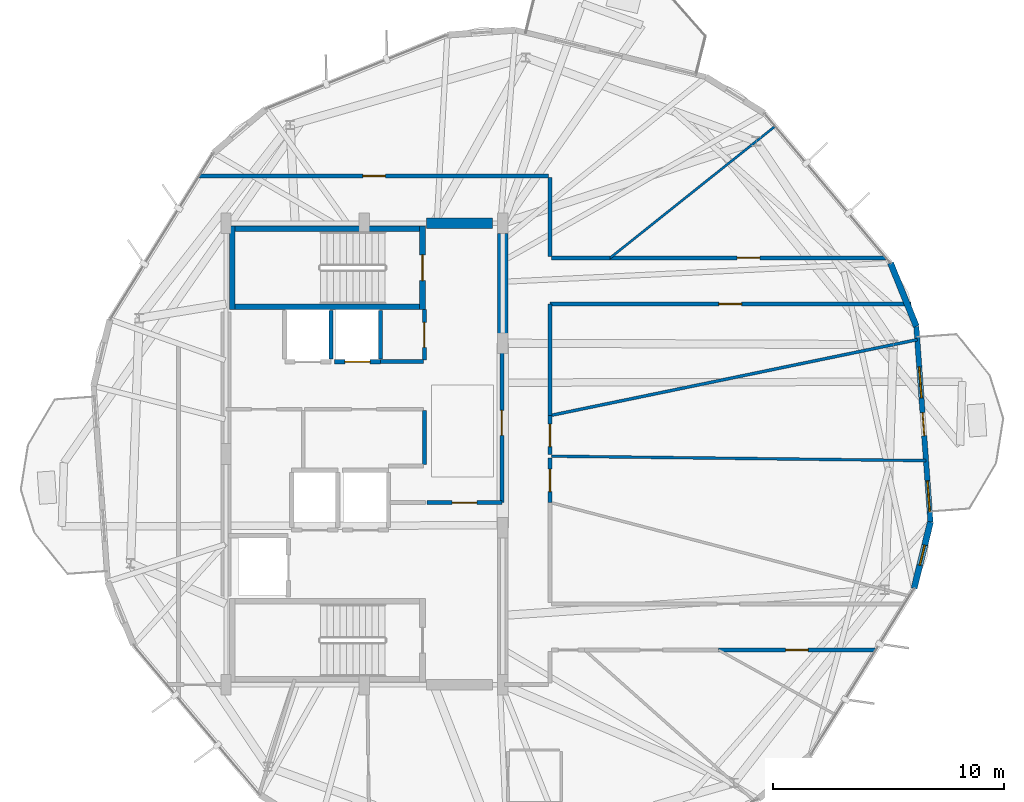
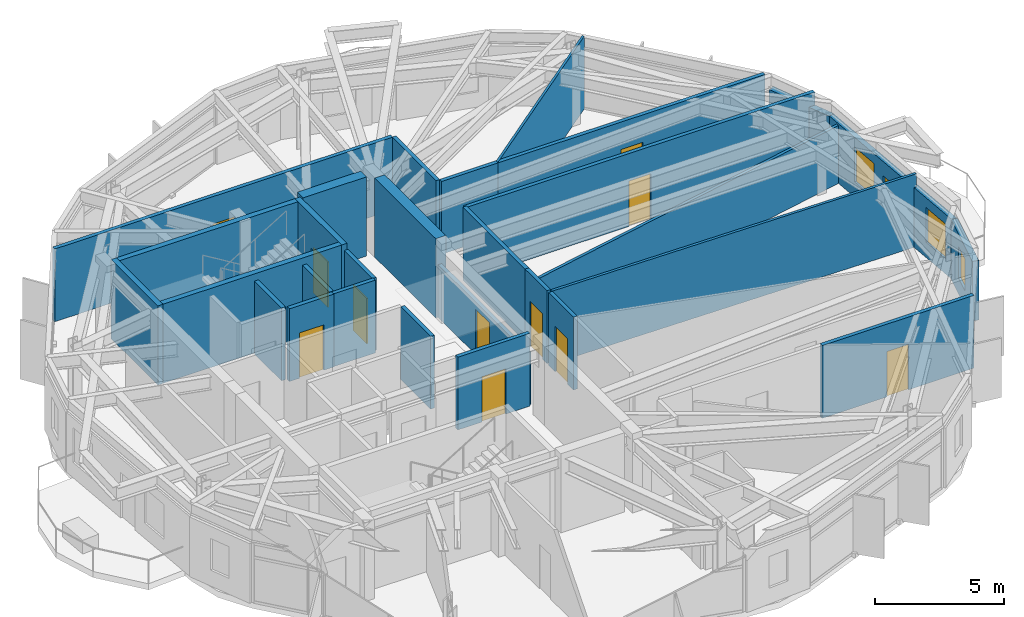
# One storey, part 22 of 26: 29 walls, 12 doors, 3 windows, 15 openings.
"""IFC4 building model written with IfcOpenShell, lengths in metres."""

from ifc_helpers import new_model, si_unit, direction, frame, frame_2d, origin, place, context, subcontext, project, spatial, rectangle, extrude, material, layer, layer_set, type_object, element, fill, save


model = new_model("IFC4")

# Units and contexts
model_context = context("Model", 3, precision=1e-05, world=origin(), true_north=direction((0.0, 1.0)))
body_context = subcontext(model_context, "Body", "Model", "MODEL_VIEW")
ifc_project = project(units=[si_unit("LENGTHUNIT", "METRE"), si_unit("AREAUNIT", "SQUARE_METRE"), si_unit("VOLUMEUNIT", "CUBIC_METRE"), si_unit("PLANEANGLEUNIT", "RADIAN"), si_unit("MASSUNIT", "GRAM", prefix="KILO")], contexts=[model_context])

# Site, building, storey
site_placement = place(None, origin())
site = spatial("IfcSite", under=ifc_project, at=site_placement, CompositionType="ELEMENT")
building_placement = place(site_placement, origin())
building = spatial("IfcBuilding", under=site, at=building_placement, Name="Soratama Intermodal Tower", CompositionType="ELEMENT")
storey_placement = place(building_placement, frame((0.0, 0.0, 246.25)))
storey = spatial("IfcBuildingStorey", under=building, at=storey_placement, Name="L62", CompositionType="ELEMENT", Elevation=246.25)

# Wall, openings, door, windows
ifc_material_1 = material(Name="Concrete f'c 42 MPa", Category="concrete")
ifc_layer_1 = layer(ifc_material_1, 0.22998046875)
ifc_layer_set_1 = layer_set([ifc_layer_1], Name="Concrete f'c 42 MPa")
wall_type_1 = type_object("IfcWallType", Name="EW-BAL-230", PredefinedType="SOLIDWALL", material=ifc_layer_set_1)
wall_1_placement = place(storey_placement, frame((63.139892578125, 22.052001953125, 0.0), z_axis=(0.0, 0.0, 1.0), x_axis=(-0.072181914465, 0.997391483433, 0.0)))
wall_1 = element("IfcWall", 1, at=wall_1_placement, inside=storey, type_object=wall_type_1, Name="L62 Terrace Wall F09", PredefinedType="SOLIDWALL", context=body_context, shape_type="SweptSolid", body=[
    extrude(rectangle(XDim=8.499755859375, YDim=0.22998046875, at=frame_2d((4.25, 0.0))), origin(), (0.0, 0.0, 1.0), 2.8291015625),
])
opening_1_placement = place(wall_1_placement, frame((3.75, 0.0, 0.0)))
opening_1 = element("IfcOpeningElement", 2, at=opening_1_placement, cuts=wall_1, Name="Opening ED-2", PredefinedType="OPENING", context=body_context, shape_type="SweptSolid", body=[
    extrude(rectangle(XDim=1.0, YDim=2.14990234375, at=frame_2d((0.5, 1.074951171875))), frame((0.0, 0.125, 0.0), z_axis=(0.0, -1.0, 0.0), x_axis=(1.0, 0.0, 0.0)), (0.0, 0.0, 1.0), 0.25),
])
opening_2_placement = place(wall_1_placement, frame((0.43994140625, 0.0, 0.719970703125)))
opening_2 = element("IfcOpeningElement", 3, at=opening_2_placement, cuts=wall_1, Name="Opening WN-4", PredefinedType="OPENING", context=body_context, shape_type="SweptSolid", body=[
    extrude(rectangle(XDim=1.35009765625, YDim=1.64990234375, at=frame_2d((0.675048828125, 0.824951171875))), frame((0.0, 0.125, 0.0), z_axis=(0.0, -1.0, 0.0), x_axis=(1.0, 0.0, 0.0)), (0.0, 0.0, 1.0), 0.25),
])
opening_3_placement = place(wall_1_placement, frame((5.389892578125, 0.0, 0.719970703125)))
opening_3 = element("IfcOpeningElement", 4, at=opening_3_placement, cuts=wall_1, Name="Opening WN-4", PredefinedType="OPENING", context=body_context, shape_type="SweptSolid", body=[
    extrude(rectangle(XDim=1.35009765625, YDim=1.64990234375, at=frame_2d((0.675048828125, 0.824951171875))), frame((0.0, 0.125, 0.0), z_axis=(0.0, -1.0, 0.0), x_axis=(1.0, 0.0, 0.0)), (0.0, 0.0, 1.0), 0.25),
])
ifc_material_2 = material(Name="Double-glazed aluminium door", Category="aluminium")
door_type_1 = type_object("IfcDoorType", Name="DR-BAL-1000", OperationType="NOTDEFINED", PredefinedType="DOOR", material=ifc_material_2)
door_1_placement = place(opening_1_placement, origin())
door_1 = element("IfcDoor", 5, at=door_1_placement, inside=storey, type_object=door_type_1, Name="L62 Balcony Door F09", OperationType="SINGLE_SWING_LEFT", OverallHeight=2.14990234375, OverallWidth=1.0, PredefinedType="DOOR", context=body_context, shape_type="SweptSolid", body=[
    extrude(rectangle(XDim=1.0, YDim=2.14990234375, at=frame_2d((0.5, 1.074951171875))), frame((0.0, 0.02490234375, 0.0), z_axis=(0.0, -1.0, 0.0), x_axis=(1.0, 0.0, 0.0)), (0.0, 0.0, 1.0), 0.050048828125),
])
fill(opening_1, door_1)
ifc_material_3 = material(Name="Double-glazed aluminium window", Category="aluminium")
window_type_1 = type_object("IfcWindowType", Name="WN-FAC-1350", PartitioningType="SINGLE_PANEL", PredefinedType="WINDOW", material=ifc_material_3)
window_1_placement = place(opening_2_placement, origin())
window_1 = element("IfcWindow", 6, at=window_1_placement, inside=storey, type_object=window_type_1, Name="L62 Window A F09", OverallHeight=1.64990234375, OverallWidth=1.35009765625, PartitioningType="SINGLE_PANEL", PredefinedType="WINDOW", context=body_context, shape_type="SweptSolid", body=[
    extrude(rectangle(XDim=1.35009765625, YDim=1.64990234375, at=frame_2d((0.675048828125, 0.824951171875))), frame((0.0, 0.030029296875, 0.0), z_axis=(0.0, -1.0, 0.0), x_axis=(1.0, 0.0, 0.0)), (0.0, 0.0, 1.0), 0.06005859375),
])
fill(opening_2, window_1)
window_2_placement = place(opening_3_placement, origin())
window_2 = element("IfcWindow", 7, at=window_2_placement, inside=storey, type_object=window_type_1, Name="L62 Window B F09", OverallHeight=1.64990234375, OverallWidth=1.35009765625, PartitioningType="SINGLE_PANEL", PredefinedType="WINDOW", context=body_context, shape_type="SweptSolid", body=[
    extrude(rectangle(XDim=1.35009765625, YDim=1.64990234375, at=frame_2d((0.675048828125, 0.824951171875))), frame((0.0, 0.030029296875, 0.0), z_axis=(0.0, -1.0, 0.0), x_axis=(1.0, 0.0, 0.0)), (0.0, 0.0, 1.0), 0.06005859375),
])
fill(opening_3, window_2)

# Wall, opening, window
ifc_material_4 = material(Name="Concrete f'c 42 MPa", Category="concrete")
ifc_layer_2 = layer(ifc_material_4, 0.27001953125)
ifc_layer_set_2 = layer_set([ifc_layer_2], Name="Concrete f'c 42 MPa")
wall_type_2 = type_object("IfcWallType", Name="EW-CRN-270", PredefinedType="SOLIDWALL", material=ifc_layer_set_2)
wall_2_placement = place(storey_placement, frame((62.429443359375, 19.171875, 0.0), z_axis=(0.0, 0.0, 1.0), x_axis=(0.23949416051, 0.970897804654, 0.0)))
wall_2 = element("IfcWall", 8, at=wall_2_placement, inside=storey, type_object=wall_type_2, Name="L62 Corner Closure Wall 08", PredefinedType="SOLIDWALL", context=body_context, shape_type="SweptSolid", body=[
    extrude(rectangle(XDim=2.966552734375, YDim=0.27001953125, at=frame_2d((1.4833984375, 0.0))), origin(), (0.0, 0.0, 1.0), 2.8291015625),
])
opening_4_placement = place(wall_2_placement, frame((1.033203125, 0.0, 0.75)))
opening_4 = element("IfcOpeningElement", 9, at=opening_4_placement, cuts=wall_2, Name="Opening WN-6", PredefinedType="OPENING", context=body_context, shape_type="SweptSolid", body=[
    extrude(rectangle(XDim=0.89990234375, YDim=1.5, at=frame_2d((0.449951171875, 0.75))), frame((0.0, 0.14501953125, 0.0), z_axis=(0.0, -1.0, 0.0), x_axis=(1.0, 0.0, 0.0)), (0.0, 0.0, 1.0), 0.2900390625),
])
ifc_material_5 = material(Name="Double-glazed aluminium window", Category="aluminium")
window_type_2 = type_object("IfcWindowType", Name="WN-FAC-900", PartitioningType="SINGLE_PANEL", PredefinedType="WINDOW", material=ifc_material_5)
window_3_placement = place(opening_4_placement, origin())
window_3 = element("IfcWindow", 10, at=window_3_placement, inside=storey, type_object=window_type_2, Name="L62 Corner Window 08", OverallHeight=1.5, OverallWidth=0.89990234375, PartitioningType="SINGLE_PANEL", PredefinedType="WINDOW", context=body_context, shape_type="SweptSolid", body=[
    extrude(rectangle(XDim=0.89990234375, YDim=1.5, at=frame_2d((0.449951171875, 0.75))), frame((0.0, 0.030029296875, 0.0), z_axis=(0.0, -1.0, 0.0), x_axis=(1.0, 0.0, 0.0)), (0.0, 0.0, 1.0), 0.06005859375),
])
fill(opening_4, window_3)

# Wall
wall_3_placement = place(storey_placement, frame((62.5263671875, 30.529541015625, 0.0), z_axis=(0.0, 0.0, 1.0), x_axis=(-0.3768184741, 0.926287124803, 0.0)))
element("IfcWall", 11, at=wall_3_placement, inside=storey, type_object=wall_type_2, Name="L62 Corner Closure Wall 09", PredefinedType="SOLIDWALL", context=body_context, shape_type="SweptSolid", body=[
    extrude(rectangle(XDim=2.966796875, YDim=0.27001953125, at=frame_2d((1.4833984375, 0.0))), origin(), (0.0, 0.0, 1.0), 2.8291015625),
])

# Wall, opening, door
ifc_material_6 = material(Name="Fire-rated gypsum stud partition", Category="concrete")
ifc_layer_3 = layer(ifc_material_6, 0.169921875)
ifc_layer_set_3 = layer_set([ifc_layer_3], Name="Fire-rated gypsum stud partition")
wall_type_3 = type_object("IfcWallType", Name="IW-PART-R170", PredefinedType="PARTITIONING", material=ifc_layer_set_3)
wall_4_placement = place(storey_placement, frame((62.300048828125, 31.5, 0.0), z_axis=(0.0, 0.0, 1.0), x_axis=(-1.0, 0.0, 0.0)))
wall_4 = element("IfcWall", 12, at=wall_4_placement, inside=storey, type_object=wall_type_3, Name="L62 Partition W-L62-TP004", PredefinedType="PARTITIONING", context=body_context, shape_type="SweptSolid", body=[
    extrude(rectangle(XDim=15.650146484375, YDim=0.169921875, at=frame_2d((7.8251953125, 0.0))), origin(), (0.0, 0.0, 1.0), 3.449951171875),
])
opening_5_placement = place(wall_4_placement, frame((7.35009765625, 0.0, 0.0)))
opening_5 = element("IfcOpeningElement", 13, at=opening_5_placement, cuts=wall_4, Name="Opening ID-5", PredefinedType="OPENING", context=body_context, shape_type="SweptSolid", body=[
    extrude(rectangle(XDim=0.97998046875, YDim=2.14990234375, at=frame_2d((0.489990234375, 1.074951171875))), frame((0.0, 0.094970703125, 0.0), z_axis=(0.0, -1.0, 0.0), x_axis=(1.0, 0.0, 0.0)), (0.0, 0.0, 1.0), 0.18994140625),
])
ifc_material_7 = material(Name="Solid hardwood acoustic door", Category="wood")
door_type_2 = type_object("IfcDoorType", Name="DR-OFF-980", OperationType="NOTDEFINED", PredefinedType="DOOR", material=ifc_material_7)
door_2_placement = place(opening_5_placement, origin())
door_2 = element("IfcDoor", 14, at=door_2_placement, inside=storey, type_object=door_type_2, Name="L62 Door D-L62-TP001", OperationType="SINGLE_SWING_RIGHT", OverallHeight=2.14990234375, OverallWidth=0.97998046875, PredefinedType="DOOR", context=body_context, shape_type="SweptSolid", body=[
    extrude(rectangle(XDim=0.97998046875, YDim=2.14990234375, at=frame_2d((0.489990234375, 1.074951171875))), frame((0.0, 0.02490234375, 0.0), z_axis=(0.0, -1.0, 0.0), x_axis=(1.0, 0.0, 0.0)), (0.0, 0.0, 1.0), 0.050048828125),
])
fill(opening_5, door_2)

wall_5_placement = place(storey_placement, frame((31.43701171875, 37.050048828125, 0.0), z_axis=(0.0, 0.0, 1.0), x_axis=(1.0, 0.0, 0.0)))
wall_5 = element("IfcWall", 15, at=wall_5_placement, inside=storey, type_object=wall_type_3, Name="L62 Partition W-L62-TP006", PredefinedType="PARTITIONING", context=body_context, shape_type="SweptSolid", body=[
    extrude(rectangle(XDim=15.14306640625, YDim=0.169921875, at=frame_2d((7.571533203125, 0.0))), origin(), (0.0, 0.0, 1.0), 3.449951171875),
])
opening_6_placement = place(wall_5_placement, frame((7.095947265625, 0.0, 0.0)))
opening_6 = element("IfcOpeningElement", 16, at=opening_6_placement, cuts=wall_5, Name="Opening ID-5", PredefinedType="OPENING", context=body_context, shape_type="SweptSolid", body=[
    extrude(rectangle(XDim=0.97998046875, YDim=2.14990234375, at=frame_2d((0.489990234375, 1.074951171875))), frame((0.0, 0.094970703125, 0.0), z_axis=(0.0, -1.0, 0.0), x_axis=(1.0, 0.0, 0.0)), (0.0, 0.0, 1.0), 0.18994140625),
])
door_3_placement = place(opening_6_placement, origin())
door_3 = element("IfcDoor", 17, at=door_3_placement, inside=storey, type_object=door_type_2, Name="L62 Door D-L62-TP003", OperationType="SINGLE_SWING_RIGHT", OverallHeight=2.14990234375, OverallWidth=0.97998046875, PredefinedType="DOOR", context=body_context, shape_type="SweptSolid", body=[
    extrude(rectangle(XDim=0.97998046875, YDim=2.14990234375, at=frame_2d((0.489990234375, 1.074951171875))), frame((0.0, 0.02490234375, 0.0), z_axis=(0.0, -1.0, 0.0), x_axis=(1.0, 0.0, 0.0)), (0.0, 0.0, 1.0), 0.050048828125),
])
fill(opening_6, door_3)

wall_6_placement = place(storey_placement, frame((49.25390625, 33.5, 0.0), z_axis=(0.0, 0.0, 1.0), x_axis=(1.0, 0.0, 0.0)))
wall_6 = element("IfcWall", 18, at=wall_6_placement, inside=storey, type_object=wall_type_3, Name="L62 Partition W-L62-TP007", PredefinedType="PARTITIONING", context=body_context, shape_type="SweptSolid", body=[
    extrude(rectangle(XDim=11.967041015625, YDim=0.169921875, at=frame_2d((5.9833984375, 0.0))), origin(), (0.0, 0.0, 1.0), 3.449951171875),
])
opening_7_placement = place(wall_6_placement, frame((5.508056640625, 0.0, 0.0)))
opening_7 = element("IfcOpeningElement", 19, at=opening_7_placement, cuts=wall_6, Name="Opening ID-5", PredefinedType="OPENING", context=body_context, shape_type="SweptSolid", body=[
    extrude(rectangle(XDim=0.97998046875, YDim=2.14990234375, at=frame_2d((0.489990234375, 1.074951171875))), frame((0.0, 0.094970703125, 0.0), z_axis=(0.0, -1.0, 0.0), x_axis=(1.0, 0.0, 0.0)), (0.0, 0.0, 1.0), 0.18994140625),
])
door_4_placement = place(opening_7_placement, origin())
door_4 = element("IfcDoor", 20, at=door_4_placement, inside=storey, type_object=door_type_2, Name="L62 Door D-L62-TP004", OperationType="SINGLE_SWING_LEFT", OverallHeight=2.14990234375, OverallWidth=0.97998046875, PredefinedType="DOOR", context=body_context, shape_type="SweptSolid", body=[
    extrude(rectangle(XDim=0.97998046875, YDim=2.14990234375, at=frame_2d((0.489990234375, 1.074951171875))), frame((0.0, 0.02490234375, 0.0), z_axis=(0.0, -1.0, 0.0), x_axis=(1.0, 0.0, 0.0)), (0.0, 0.0, 1.0), 0.050048828125),
])
fill(opening_7, door_4)

wall_7_placement = place(storey_placement, frame((44.56005859375, 29.800048828125, 0.0), z_axis=(0.0, 0.0, 1.0), x_axis=(0.0, -1.0, 0.0)))
wall_7 = element("IfcWall", 21, at=wall_7_placement, inside=storey, type_object=wall_type_3, Name="L62 Partition W-L62-TP010", PredefinedType="PARTITIONING", context=body_context, shape_type="SweptSolid", body=[
    extrude(rectangle(XDim=6.91015625, YDim=0.169921875, at=frame_2d((3.455078125, 0.0))), origin(), (0.0, 0.0, 1.0), 2.489990234375),
])
opening_8_placement = place(wall_7_placement, frame((2.9150390625, 0.0, 0.0)))
opening_8 = element("IfcOpeningElement", 22, at=opening_8_placement, cuts=wall_7, Name="Opening ID-1", PredefinedType="OPENING", context=body_context, shape_type="SweptSolid", body=[
    extrude(rectangle(XDim=1.080078125, YDim=2.14990234375, at=frame_2d((0.5400390625, 1.074951171875))), frame((0.0, 0.094970703125, 0.0), z_axis=(0.0, -1.0, 0.0), x_axis=(1.0, 0.0, 0.0)), (0.0, 0.0, 1.0), 0.18994140625),
])
ifc_material_8 = material(Name="Solid hardwood acoustic door", Category="wood")
door_type_3 = type_object("IfcDoorType", Name="DR-LOB-FD60", OperationType="NOTDEFINED", PredefinedType="DOOR", material=ifc_material_8)
door_5_placement = place(opening_8_placement, origin())
door_5 = element("IfcDoor", 23, at=door_5_placement, inside=storey, type_object=door_type_3, Name="L62 Door D-L62-TP005", OperationType="SINGLE_SWING_RIGHT", OverallHeight=2.14990234375, OverallWidth=1.080078125, PredefinedType="DOOR", context=body_context, shape_type="SweptSolid", body=[
    extrude(rectangle(XDim=1.080078125, YDim=2.14990234375, at=frame_2d((0.5400390625, 1.074951171875))), frame((0.0, 0.02490234375, 0.0), z_axis=(0.0, -1.0, 0.0), x_axis=(1.0, 0.0, 0.0)), (0.0, 0.0, 1.0), 0.050048828125),
])
fill(opening_8, door_5)

wall_8_placement = place(storey_placement, frame((60.76904296875, 16.5, 0.0), z_axis=(0.0, 0.0, 1.0), x_axis=(-1.0, 0.0, 0.0)))
wall_8 = element("IfcWall", 24, at=wall_8_placement, inside=storey, type_object=wall_type_3, Name="L62 Partition W-L62-TP012", PredefinedType="PARTITIONING", context=body_context, shape_type="SweptSolid", body=[
    extrude(rectangle(XDim=6.80712890625, YDim=0.169921875, at=frame_2d((3.403564453125, 0.0))), origin(), (0.0, 0.0, 1.0), 3.449951171875),
])
opening_9_placement = place(wall_8_placement, frame((2.927978515625, 0.0, 0.0)))
opening_9 = element("IfcOpeningElement", 25, at=opening_9_placement, cuts=wall_8, Name="Opening ID-5", PredefinedType="OPENING", context=body_context, shape_type="SweptSolid", body=[
    extrude(rectangle(XDim=0.97998046875, YDim=2.14990234375, at=frame_2d((0.489990234375, 1.074951171875))), frame((0.0, 0.094970703125, 0.0), z_axis=(0.0, -1.0, 0.0), x_axis=(1.0, 0.0, 0.0)), (0.0, 0.0, 1.0), 0.18994140625),
])
door_6_placement = place(opening_9_placement, origin())
door_6 = element("IfcDoor", 26, at=door_6_placement, inside=storey, type_object=door_type_2, Name="L62 Door D-L62-TP006", OperationType="SINGLE_SWING_LEFT", OverallHeight=2.14990234375, OverallWidth=0.97998046875, PredefinedType="DOOR", context=body_context, shape_type="SweptSolid", body=[
    extrude(rectangle(XDim=0.97998046875, YDim=2.14990234375, at=frame_2d((0.489990234375, 1.074951171875))), frame((0.0, 0.02490234375, 0.0), z_axis=(0.0, -1.0, 0.0), x_axis=(1.0, 0.0, 0.0)), (0.0, 0.0, 1.0), 0.050048828125),
])
fill(opening_9, door_6)

# Walls
wall_9_placement = place(storey_placement, frame((46.64990234375, 31.5, 0.0), z_axis=(0.0, 0.0, 1.0), x_axis=(0.0, -1.0, 0.0)))
element("IfcWall", 27, at=wall_9_placement, inside=storey, type_object=wall_type_3, Name="L62 Partition W-L62-TP017", PredefinedType="PARTITIONING", context=body_context, shape_type="SweptSolid", body=[
    extrude(rectangle(XDim=4.8349609375, YDim=0.169921875, at=frame_2d((2.41748046875, 0.0))), origin(), (0.0, 0.0, 1.0), 3.449951171875),
])
wall_10_placement = place(storey_placement, frame((46.64990234375, 36.97998046875, 0.0), z_axis=(0.0, 0.0, 1.0), x_axis=(0.0, -1.0, 0.0)))
element("IfcWall", 28, at=wall_10_placement, inside=storey, type_object=wall_type_3, Name="L62 Partition W-L62-TP019", PredefinedType="PARTITIONING", context=body_context, shape_type="SweptSolid", body=[
    extrude(rectangle(XDim=3.409912109375, YDim=0.169921875, at=frame_2d((1.705078125, 0.0))), origin(), (0.0, 0.0, 1.0), 3.449951171875),
])

# Wall, opening, door
wall_11_placement = place(storey_placement, frame((41.320068359375, 22.889892578125, 0.0), z_axis=(0.0, 0.0, 1.0), x_axis=(1.0, 0.0, 0.0)))
wall_11 = element("IfcWall", 29, at=wall_11_placement, inside=storey, type_object=wall_type_3, Name="L62 Partition W-L62-TP021", PredefinedType="PARTITIONING", context=body_context, shape_type="SweptSolid", body=[
    extrude(rectangle(XDim=3.239990234375, YDim=0.169921875, at=frame_2d((1.6201171875, 0.0))), origin(), (0.0, 0.0, 1.0), 3.449951171875),
])
opening_10_placement = place(wall_11_placement, frame((1.080078125, 0.0, 0.0)))
opening_10 = element("IfcOpeningElement", 30, at=opening_10_placement, cuts=wall_11, Name="Opening ID-0", PredefinedType="OPENING", context=body_context, shape_type="SweptSolid", body=[
    extrude(rectangle(XDim=1.080078125, YDim=2.14990234375, at=frame_2d((0.5400390625, 1.074951171875))), frame((0.0, 0.094970703125, 0.0), z_axis=(0.0, -1.0, 0.0), x_axis=(1.0, 0.0, 0.0)), (0.0, 0.0, 1.0), 0.18994140625),
])
ifc_material_9 = material(Name="Solid hardwood acoustic door", Category="wood")
door_type_4 = type_object("IfcDoorType", Name="DR-LOB-FD90", OperationType="NOTDEFINED", PredefinedType="DOOR", material=ifc_material_9)
door_7_placement = place(opening_10_placement, origin())
door_7 = element("IfcDoor", 31, at=door_7_placement, inside=storey, type_object=door_type_4, Name="L62 Door D-L62-TP010", OperationType="SINGLE_SWING_LEFT", OverallHeight=2.14990234375, OverallWidth=1.080078125, PredefinedType="DOOR", context=body_context, shape_type="SweptSolid", body=[
    extrude(rectangle(XDim=1.080078125, YDim=2.14990234375, at=frame_2d((0.5400390625, 1.074951171875))), frame((0.0, 0.02490234375, 0.0), z_axis=(0.0, -1.0, 0.0), x_axis=(1.0, 0.0, 0.0)), (0.0, 0.0, 1.0), 0.050048828125),
])
fill(opening_10, door_7)

# Walls
wall_12_placement = place(storey_placement, frame((46.719970703125, 33.5, 0.0), z_axis=(0.0, 0.0, 1.0), x_axis=(1.0, 0.0, 0.0)))
element("IfcWall", 32, at=wall_12_placement, inside=storey, type_object=wall_type_3, Name="L62 Partition W-L62-TP023", PredefinedType="PARTITIONING", context=body_context, shape_type="SweptSolid", body=[
    extrude(rectangle(XDim=2.533935546875, YDim=0.169921875, at=frame_2d((1.26708984375, 0.0))), origin(), (0.0, 0.0, 1.0), 3.449951171875),
])
wall_13_placement = place(storey_placement, frame((41.199951171875, 24.550048828125, 0.0), z_axis=(0.0, 0.0, 1.0), x_axis=(0.0, 1.0, 0.0)))
element("IfcWall", 33, at=wall_13_placement, inside=storey, type_object=wall_type_3, Name="L62 Partition W-L62-TP025", PredefinedType="PARTITIONING", context=body_context, shape_type="SweptSolid", body=[
    extrude(rectangle(XDim=2.329833984375, YDim=0.169921875, at=frame_2d((1.1650390625, 0.0))), origin(), (0.0, 0.0, 1.0), 3.449951171875),
])

# Wall, opening, door
wall_14_placement = place(storey_placement, frame((41.199951171875, 29.070068359375, 0.0), z_axis=(0.0, 0.0, 1.0), x_axis=(0.0, 1.0, 0.0)))
wall_14 = element("IfcWall", 34, at=wall_14_placement, inside=storey, type_object=wall_type_3, Name="L62 Partition W-L62-TP026", PredefinedType="PARTITIONING", context=body_context, shape_type="SweptSolid", body=[
    extrude(rectangle(XDim=2.18994140625, YDim=0.169921875, at=frame_2d((1.094970703125, 0.0))), origin(), (0.0, 0.0, 1.0), 3.449951171875),
])
opening_11_placement = place(wall_14_placement, frame((0.554931640625, 0.0, 0.0)))
opening_11 = element("IfcOpeningElement", 35, at=opening_11_placement, cuts=wall_14, Name="Opening ID-1", PredefinedType="OPENING", context=body_context, shape_type="SweptSolid", body=[
    extrude(rectangle(XDim=1.080078125, YDim=2.14990234375, at=frame_2d((0.5400390625, 1.074951171875))), frame((0.0, 0.094970703125, 0.0), z_axis=(0.0, -1.0, 0.0), x_axis=(1.0, 0.0, 0.0)), (0.0, 0.0, 1.0), 0.18994140625),
])
door_8_placement = place(opening_11_placement, origin())
door_8 = element("IfcDoor", 36, at=door_8_placement, inside=storey, type_object=door_type_3, Name="L62 Door D-L62-TP012", OperationType="SINGLE_SWING_LEFT", OverallHeight=2.14990234375, OverallWidth=1.080078125, PredefinedType="DOOR", context=body_context, shape_type="SweptSolid", body=[
    extrude(rectangle(XDim=1.080078125, YDim=2.14990234375, at=frame_2d((0.5400390625, 1.074951171875))), frame((0.0, 0.02490234375, 0.0), z_axis=(0.0, -1.0, 0.0), x_axis=(1.0, 0.0, 0.0)), (0.0, 0.0, 1.0), 0.050048828125),
])
fill(opening_11, door_8)

wall_15_placement = place(storey_placement, frame((46.64990234375, 24.833984375, 0.0), z_axis=(0.0, 0.0, 1.0), x_axis=(0.0, -1.0, 0.0)))
wall_15 = element("IfcWall", 37, at=wall_15_placement, inside=storey, type_object=wall_type_3, Name="L62 Partition W-L62-TP031", PredefinedType="PARTITIONING", context=body_context, shape_type="SweptSolid", body=[
    extrude(rectangle(XDim=1.93310546875, YDim=0.169921875, at=frame_2d((0.966552734375, 0.0))), origin(), (0.0, 0.0, 1.0), 3.449951171875),
])
opening_12_placement = place(wall_15_placement, frame((0.490966796875, 0.0, 0.0)))
opening_12 = element("IfcOpeningElement", 38, at=opening_12_placement, cuts=wall_15, Name="Opening ID-5", PredefinedType="OPENING", context=body_context, shape_type="SweptSolid", body=[
    extrude(rectangle(XDim=0.97998046875, YDim=2.14990234375, at=frame_2d((0.489990234375, 1.074951171875))), frame((0.0, 0.094970703125, 0.0), z_axis=(0.0, -1.0, 0.0), x_axis=(1.0, 0.0, 0.0)), (0.0, 0.0, 1.0), 0.18994140625),
])
door_9_placement = place(opening_12_placement, origin())
door_9 = element("IfcDoor", 39, at=door_9_placement, inside=storey, type_object=door_type_2, Name="L62 Door D-L62-TP014", OperationType="SINGLE_SWING_LEFT", OverallHeight=2.14990234375, OverallWidth=0.97998046875, PredefinedType="DOOR", context=body_context, shape_type="SweptSolid", body=[
    extrude(rectangle(XDim=0.97998046875, YDim=2.14990234375, at=frame_2d((0.489990234375, 1.074951171875))), frame((0.0, 0.02490234375, 0.0), z_axis=(0.0, -1.0, 0.0), x_axis=(1.0, 0.0, 0.0)), (0.0, 0.0, 1.0), 0.050048828125),
])
fill(opening_12, door_9)

# Wall
wall_16_placement = place(storey_placement, frame((39.300048828125, 29.010009765625, 0.0), z_axis=(0.0, 0.0, 1.0), x_axis=(1.0, 0.0, 0.0)))
element("IfcWall", 40, at=wall_16_placement, inside=storey, type_object=wall_type_3, Name="L62 Partition W-L62-TP032", PredefinedType="PARTITIONING", context=body_context, shape_type="SweptSolid", body=[
    extrude(rectangle(XDim=1.85986328125, YDim=0.169921875, at=frame_2d((0.929931640625, 0.0))), origin(), (0.0, 0.0, 1.0), 3.449951171875),
])

# Wall, opening, door
wall_17_placement = place(storey_placement, frame((46.64990234375, 26.6650390625, 0.0), z_axis=(0.0, 0.0, 1.0), x_axis=(0.0, -1.0, 0.0)))
wall_17 = element("IfcWall", 41, at=wall_17_placement, inside=storey, type_object=wall_type_3, Name="L62 Partition W-L62-TP033", PredefinedType="PARTITIONING", context=body_context, shape_type="SweptSolid", body=[
    extrude(rectangle(XDim=1.69091796875, YDim=0.169921875, at=frame_2d((0.845458984375, 0.0))), origin(), (0.0, 0.0, 1.0), 3.449951171875),
])
opening_13_placement = place(wall_17_placement, frame((0.3701171875, 0.0, 0.0)))
opening_13 = element("IfcOpeningElement", 42, at=opening_13_placement, cuts=wall_17, Name="Opening ID-5", PredefinedType="OPENING", context=body_context, shape_type="SweptSolid", body=[
    extrude(rectangle(XDim=0.97998046875, YDim=2.14990234375, at=frame_2d((0.489990234375, 1.074951171875))), frame((0.0, 0.094970703125, 0.0), z_axis=(0.0, -1.0, 0.0), x_axis=(1.0, 0.0, 0.0)), (0.0, 0.0, 1.0), 0.18994140625),
])
door_10_placement = place(opening_13_placement, origin())
door_10 = element("IfcDoor", 43, at=door_10_placement, inside=storey, type_object=door_type_2, Name="L62 Door D-L62-TP015", OperationType="SINGLE_SWING_RIGHT", OverallHeight=2.14990234375, OverallWidth=0.97998046875, PredefinedType="DOOR", context=body_context, shape_type="SweptSolid", body=[
    extrude(rectangle(XDim=0.97998046875, YDim=2.14990234375, at=frame_2d((0.489990234375, 1.074951171875))), frame((0.0, 0.02490234375, 0.0), z_axis=(0.0, -1.0, 0.0), x_axis=(1.0, 0.0, 0.0)), (0.0, 0.0, 1.0), 0.050048828125),
])
fill(opening_13, door_10)

# Walls
ifc_material_10 = material(Name="Fire-rated gypsum stud partition", Category="concrete")
ifc_layer_4 = layer(ifc_material_10, 0.10009765625)
ifc_layer_set_4 = layer_set([ifc_layer_4], Name="Fire-rated gypsum stud partition")
wall_type_4 = type_object("IfcWallType", Name="IW-PART-S100", PredefinedType="PARTITIONING", material=ifc_layer_set_4)
wall_18_placement = place(storey_placement, frame((49.25390625, 33.5, 0.0), z_axis=(0.0, 0.0, 1.0), x_axis=(0.781732154671, 0.623614334628, 0.0)))
element("IfcWall", 44, at=wall_18_placement, inside=storey, type_object=wall_type_4, Name="L62 Partition W-L62-TP009", PredefinedType="PARTITIONING", context=body_context, shape_type="SweptSolid", body=[
    extrude(rectangle(XDim=9.151611328125, YDim=0.10009765625, at=frame_2d((4.57568359375, 0.0))), origin(), (0.0, 0.0, 1.0), 3.449951171875),
])
ifc_material_11 = material(Name="Fire-rated gypsum stud partition", Category="concrete")
ifc_layer_5 = layer(ifc_material_11, 0.1201171875)
ifc_layer_set_5 = layer_set([ifc_layer_5], Name="Fire-rated gypsum stud partition")
wall_type_5 = type_object("IfcWallType", Name="IW-PART-S120", PredefinedType="PARTITIONING", material=ifc_layer_set_5)
wall_19_placement = place(storey_placement, frame((62.947998046875, 24.7109375, 0.0), z_axis=(0.0, 0.0, 1.0), x_axis=(-0.999929192745, 0.011899978808, 0.0)))
element("IfcWall", 45, at=wall_19_placement, inside=storey, type_object=wall_type_5, Name="L62 Partition W-L62-TP002", PredefinedType="PARTITIONING", context=body_context, shape_type="SweptSolid", body=[
    extrude(rectangle(XDim=16.228271484375, YDim=0.1201171875, at=frame_2d((8.1142578125, 0.0))), origin(), (0.0, 0.0, 1.0), 3.449951171875),
])
ifc_material_12 = material(Name="Fire-rated gypsum stud partition", Category="concrete")
ifc_layer_6 = layer(ifc_material_12, 0.1298828125)
ifc_layer_set_6 = layer_set([ifc_layer_6], Name="Fire-rated gypsum stud partition")
wall_type_6 = type_object("IfcWallType", Name="IW-PART-S130", PredefinedType="PARTITIONING", material=ifc_layer_set_6)
wall_20_placement = place(storey_placement, frame((46.64990234375, 26.6650390625, 0.0), z_axis=(0.0, 0.0, 1.0), x_axis=(0.979301707705, 0.202405941826, 0.0)))
element("IfcWall", 46, at=wall_20_placement, inside=storey, type_object=wall_type_6, Name="L62 Partition W-L62-TP001", PredefinedType="PARTITIONING", context=body_context, shape_type="SweptSolid", body=[
    extrude(rectangle(XDim=16.254638671875, YDim=0.1298828125, at=frame_2d((8.12744140625, 0.0))), origin(), (0.0, 0.0, 1.0), 2.7451171875),
])
ifc_material_13 = material(Name="Concrete f'c 42 MPa", Category="concrete")
ifc_layer_7 = layer(ifc_material_13, 0.18505859375)
ifc_layer_set_7 = layer_set([ifc_layer_7], Name="Concrete f'c 42 MPa")
wall_type_7 = type_object("IfcWallType", Name="IW-SHAFT-185", PredefinedType="SOLIDWALL", material=ifc_layer_set_7)
wall_21_placement = place(storey_placement, frame((37.14990234375, 29.110107421875, 0.0), z_axis=(0.0, 0.0, 1.0), x_axis=(0.0, 1.0, 0.0)))
element("IfcWall", 47, at=wall_21_placement, inside=storey, type_object=wall_type_7, Name="L62 PL-H1 Hoistway Wall E", PredefinedType="SOLIDWALL", context=body_context, shape_type="SweptSolid", body=[
    extrude(rectangle(XDim=2.099853515625, YDim=0.18505859375, at=frame_2d((1.0498046875, 0.0))), origin(), (0.0, 0.0, 1.0), 3.449951171875),
])

# Wall, opening, door
wall_22_placement = place(storey_placement, frame((37.300048828125, 29.0, 0.0), z_axis=(0.0, 0.0, 1.0), x_axis=(1.0, 0.0, 0.0)))
wall_22 = element("IfcWall", 48, at=wall_22_placement, inside=storey, type_object=wall_type_7, Name="L62 PL-H2 Hoistway Wall S", PredefinedType="SOLIDWALL", context=body_context, shape_type="SweptSolid", body=[
    extrude(rectangle(XDim=2.0, YDim=0.18505859375, at=frame_2d((1.0, 0.0))), origin(), (0.0, 0.0, 1.0), 3.449951171875),
])
opening_14_placement = place(wall_22_placement, frame((0.449951171875, 0.0, 0.0)))
opening_14 = element("IfcOpeningElement", 49, at=opening_14_placement, cuts=wall_22, Name="Opening LD-1", PredefinedType="OPENING", context=body_context, shape_type="SweptSolid", body=[
    extrude(rectangle(XDim=1.10009765625, YDim=2.14990234375, at=frame_2d((0.550048828125, 1.074951171875))), frame((0.0, 0.1025390625, 0.0), z_axis=(0.0, -1.0, 0.0), x_axis=(1.0, 0.0, 0.0)), (0.0, 0.0, 1.0), 0.205078125),
])
ifc_material_14 = material(Name="Steel fire door", Category="steel")
door_type_5 = type_object("IfcDoorType", Name="DR-LIFT-SLIDE", OperationType="NOTDEFINED", PredefinedType="DOOR", material=ifc_material_14)
door_11_placement = place(opening_14_placement, origin())
door_11 = element("IfcDoor", 50, at=door_11_placement, inside=storey, type_object=door_type_5, Name="L62 PL-H2 Sliding Landing Door", OperationType="SLIDING_TO_LEFT", OverallHeight=2.14990234375, OverallWidth=1.10009765625, PredefinedType="DOOR", context=body_context, shape_type="SweptSolid", body=[
    extrude(rectangle(XDim=1.10009765625, YDim=2.14990234375, at=frame_2d((0.550048828125, 1.074951171875))), frame((0.0, 0.02490234375, 0.0), z_axis=(0.0, -1.0, 0.0), x_axis=(1.0, 0.0, 0.0)), (0.0, 0.0, 1.0), 0.050048828125),
])
fill(opening_14, door_11)

# Walls
wall_23_placement = place(storey_placement, frame((39.300048828125, 29.110107421875, 0.0), z_axis=(0.0, 0.0, 1.0), x_axis=(0.0, 1.0, 0.0)))
element("IfcWall", 51, at=wall_23_placement, inside=storey, type_object=wall_type_7, Name="L62 PL-H2 Hoistway Wall E", PredefinedType="SOLIDWALL", context=body_context, shape_type="SweptSolid", body=[
    extrude(rectangle(XDim=2.099853515625, YDim=0.18505859375, at=frame_2d((1.0498046875, 0.0))), origin(), (0.0, 0.0, 1.0), 3.449951171875),
])
ifc_material_15 = material(Name="Concrete f'c 56 MPa", Category="concrete")
ifc_layer_8 = layer(ifc_material_15, 0.449951171875)
ifc_layer_set_8 = layer_set([ifc_layer_8], Name="Concrete f'c 56 MPa")
wall_type_8 = type_object("IfcWallType", Name="SW-CORE-450", PredefinedType="SHEAR", material=ifc_layer_set_8)
wall_24_placement = place(storey_placement, frame((41.300048828125, 35.0, 0.0), z_axis=(0.0, 0.0, 1.0), x_axis=(1.0, 0.0, 0.0)))
element("IfcWall", 52, at=wall_24_placement, inside=storey, type_object=wall_type_8, Name="L62 Core Shear Wall CW-NE", PredefinedType="SHEAR", context=body_context, shape_type="SweptSolid", body=[
    extrude(rectangle(XDim=2.849853515625, YDim=0.449951171875, at=frame_2d((1.4248046875, 0.0))), origin(), (0.0, 0.0, 1.0), 3.75),
])
wall_25_placement = place(storey_placement, frame((44.60009765625, 29.800048828125, 0.0), z_axis=(0.0, 0.0, 1.0), x_axis=(0.0, 1.0, 0.0)))
element("IfcWall", 53, at=wall_25_placement, inside=storey, type_object=wall_type_8, Name="L62 Core Shear Wall CW-EN", PredefinedType="SHEAR", context=body_context, shape_type="SweptSolid", body=[
    extrude(rectangle(XDim=4.75, YDim=0.449951171875, at=frame_2d((2.375, 0.0))), origin(), (0.0, 0.0, 1.0), 3.75),
])
ifc_material_16 = material(Name="Concrete f'c 56 MPa", Category="concrete")
ifc_layer_9 = layer(ifc_material_16, 0.239990234375)
ifc_layer_set_9 = layer_set([ifc_layer_9], Name="Concrete f'c 56 MPa")
wall_type_9 = type_object("IfcWallType", Name="SW-STAIR-240", PredefinedType="SHEAR", material=ifc_layer_set_9)
wall_26_placement = place(storey_placement, frame((32.8798828125, 31.260009765625, 0.0), z_axis=(0.0, 0.0, 1.0), x_axis=(0.0, 1.0, 0.0)))
element("IfcWall", 54, at=wall_26_placement, inside=storey, type_object=wall_type_9, Name="L62 ST-2 Shaft Shear Wall W", PredefinedType="SHEAR", context=body_context, shape_type="SweptSolid", body=[
    extrude(rectangle(XDim=3.6298828125, YDim=0.239990234375, at=frame_2d((1.81494140625, 0.0))), origin(), (0.0, 0.0, 1.0), 3.75),
])

# Wall, opening, door
wall_27_placement = place(storey_placement, frame((41.1201171875, 31.260009765625, 0.0), z_axis=(0.0, 0.0, 1.0), x_axis=(0.0, 1.0, 0.0)))
wall_27 = element("IfcWall", 55, at=wall_27_placement, inside=storey, type_object=wall_type_9, Name="L62 ST-2 Shaft Shear Wall E", PredefinedType="SHEAR", context=body_context, shape_type="SweptSolid", body=[
    extrude(rectangle(XDim=3.6298828125, YDim=0.239990234375, at=frame_2d((1.81494140625, 0.0))), origin(), (0.0, 0.0, 1.0), 3.75),
])
opening_15_placement = place(wall_27_placement, frame((1.2548828125, 0.0, 0.0)))
opening_15 = element("IfcOpeningElement", 56, at=opening_15_placement, cuts=wall_27, Name="Opening SD-1", PredefinedType="OPENING", context=body_context, shape_type="SweptSolid", body=[
    extrude(rectangle(XDim=1.1201171875, YDim=2.14990234375, at=frame_2d((0.56005859375, 1.074951171875))), frame((0.0, 0.1298828125, 0.0), z_axis=(0.0, -1.0, 0.0), x_axis=(1.0, 0.0, 0.0)), (0.0, 0.0, 1.0), 0.260009765625),
])
ifc_material_17 = material(Name="Steel fire door", Category="steel")
door_type_6 = type_object("IfcDoorType", Name="DR-STAIR-FD90", OperationType="NOTDEFINED", PredefinedType="DOOR", material=ifc_material_17)
door_12_placement = place(opening_15_placement, origin())
door_12 = element("IfcDoor", 57, at=door_12_placement, inside=storey, type_object=door_type_6, Name="L62 ST-2 Exit Stair Door", OperationType="SINGLE_SWING_RIGHT", OverallHeight=2.14990234375, OverallWidth=1.1201171875, PredefinedType="DOOR", context=body_context, shape_type="SweptSolid", body=[
    extrude(rectangle(XDim=1.1201171875, YDim=2.14990234375, at=frame_2d((0.56005859375, 1.074951171875))), frame((0.0, 0.02490234375, 0.0), z_axis=(0.0, -1.0, 0.0), x_axis=(1.0, 0.0, 0.0)), (0.0, 0.0, 1.0), 0.050048828125),
])
fill(opening_15, door_12)

# Walls
for number, where, z_axis, x_axis, name in (
    (58, (33.0, 31.3798828125, 0.0), (0.0, 0.0, 1.0), (1.0, 0.0, 0.0), "L62 ST-2 Shaft Shear Wall S"),
    (59, (33.0, 34.77001953125, 0.0), (0.0, 0.0, 1.0), (1.0, 0.0, 0.0), "L62 ST-2 Shaft Shear Wall N"),
):
    element("IfcWall", number, at=place(storey_placement, frame(where, z_axis=z_axis, x_axis=x_axis)), inside=storey, type_object=wall_type_9, Name=name, PredefinedType="SHEAR", context=body_context, shape_type="SweptSolid", body=[
        extrude(rectangle(XDim=8.0, YDim=0.239990234375, at=frame_2d((4.0, 0.0))), origin(), (0.0, 0.0, 1.0), 3.75),
    ])

save(model, "model.ifc")
